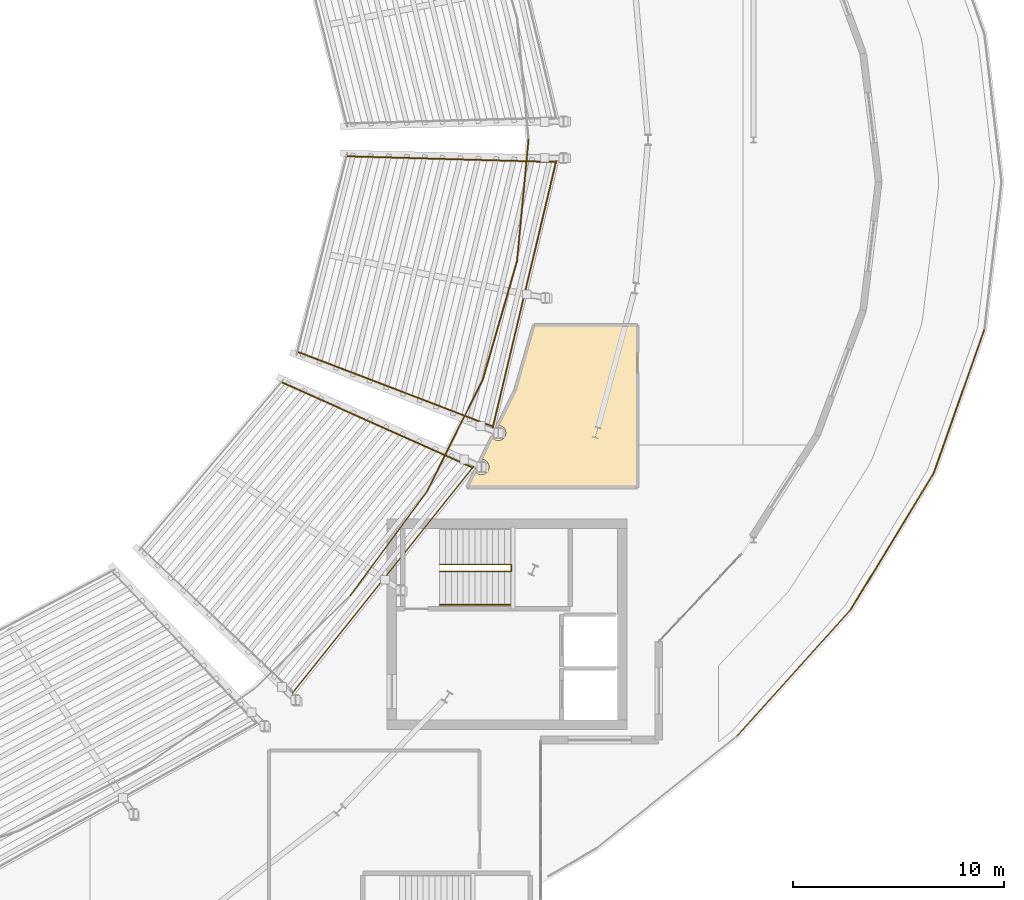
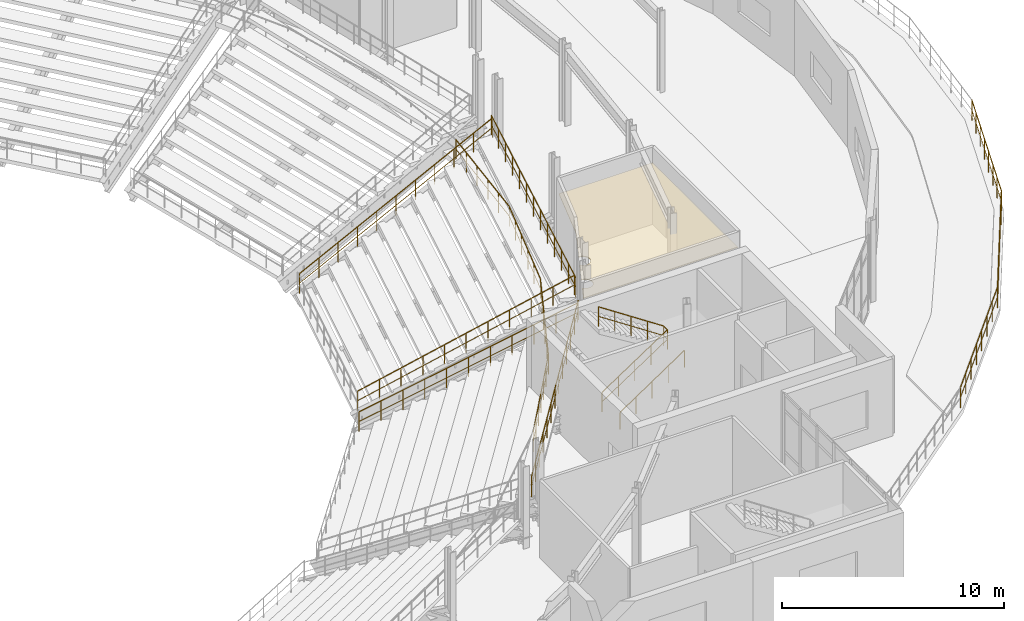
# One storey, part 79 of 81: 14 railings, 1 covering.
"""IFC4 building model written with IfcOpenShell, lengths in metres."""

from ifc_helpers import new_model, si_unit, direction, frame, origin, origin_2d, place, context, subcontext, project, spatial, polyline, circle, outline, extrude, material, layer, layer_set, type_object, element, save


model = new_model("IFC4")

# Units and contexts
model_context = context("Model", 3, precision=1e-05, world=origin(), true_north=direction((0.0, 1.0)))
body_context = subcontext(model_context, "Body", "Model", "MODEL_VIEW")
ifc_project = project(units=[si_unit("LENGTHUNIT", "METRE"), si_unit("AREAUNIT", "SQUARE_METRE"), si_unit("VOLUMEUNIT", "CUBIC_METRE"), si_unit("PLANEANGLEUNIT", "RADIAN"), si_unit("MASSUNIT", "GRAM", prefix="KILO")], contexts=[model_context])

# Site, building, storey
site_placement = place(None, origin())
site = spatial("IfcSite", under=ifc_project, at=site_placement, CompositionType="ELEMENT")
building_placement = place(site_placement, origin())
building = spatial("IfcBuilding", under=site, at=building_placement, Name="Glasvene Arena", CompositionType="ELEMENT")
storey_placement = place(building_placement, frame((0.0, 0.0, 15.0)))
storey = spatial("IfcBuildingStorey", under=building, at=storey_placement, Name="L03", CompositionType="ELEMENT", Elevation=15.0)

# Covering
ifc_material_1 = material(Name="Perforated acoustic mineral ceiling tile")
ifc_layer = layer(ifc_material_1, 0.0400390625)
ifc_layer_set = layer_set([ifc_layer], Name="Perforated acoustic mineral ceiling tile")
covering_type = type_object("IfcCoveringType", Name="COV-CEIL-AC", PredefinedType="CEILING", material=ifc_layer_set)
covering_placement = place(storey_placement, frame((134.828369140625, 58.362060546875, 3.31005859375)))
element("IfcCovering", 1, at=covering_placement, inside=storey, type_object=covering_type, Name="Acoustic suspended ceiling Founders Hospitality Suite 03", PredefinedType="CEILING", context=body_context, shape_type="SweptSolid", body=[
    extrude(outline(polyline([(6.651611328125, -1.842041015625), (-1.39208984375, -1.842041015625), (-1.02783203125, -1.1064453125), (-1.0048828125, -1.140869140625), (-0.994873046875, -1.153076171875), (-0.982666015625, -1.1630859375), (-0.891845703125, -1.223876953125), (-0.878173828125, -1.231201171875), (-0.863037109375, -1.235595703125), (-0.755859375, -1.257080078125), (-0.740234375, -1.258544921875), (-0.724609375, -1.257080078125), (-0.617431640625, -1.235595703125), (-0.6025390625, -1.231201171875), (-0.588623046875, -1.223876953125), (-0.497802734375, -1.1630859375), (-0.485595703125, -1.153076171875), (-0.475830078125, -1.140869140625), (-0.4150390625, -1.050048828125), (-0.40771484375, -1.036376953125), (-0.403076171875, -1.021240234375), (-0.3818359375, -0.9140625), (-0.38037109375, -0.898681640625), (-0.3818359375, -0.883056640625), (-0.403076171875, -0.77587890625), (-0.40771484375, -0.7607421875), (-0.4150390625, -0.7470703125), (-0.475830078125, -0.65625), (-0.485595703125, -0.64404296875), (-0.497802734375, -0.634033203125), (-0.588623046875, -0.5732421875), (-0.6025390625, -0.56591796875), (-0.617431640625, -0.5615234375), (-0.724609375, -0.5400390625), (-0.740234375, -0.53857421875), (-0.228759765625, 0.507080078125), (-0.2060546875, 0.47314453125), (-0.196044921875, 0.4609375), (-0.183837890625, 0.450927734375), (-0.093017578125, 0.39013671875), (-0.079345703125, 0.3828125), (-0.064208984375, 0.37841796875), (0.04296875, 0.35693359375), (0.05859375, 0.35546875), (0.07421875, 0.35693359375), (0.181396484375, 0.37841796875), (0.1962890625, 0.3828125), (0.210205078125, 0.39013671875), (0.301025390625, 0.450927734375), (0.313232421875, 0.4609375), (0.322998046875, 0.47314453125), (0.3837890625, 0.563720703125), (0.39111328125, 0.57763671875), (0.395751953125, 0.592529296875), (0.4169921875, 0.699951171875), (0.41845703125, 0.71533203125), (0.4169921875, 0.73095703125), (0.395751953125, 0.838134765625), (0.39111328125, 0.853271484375), (0.3837890625, 0.866943359375), (0.322998046875, 0.957763671875), (0.313232421875, 0.969970703125), (0.301025390625, 0.97998046875), (0.210205078125, 1.04052734375), (0.1962890625, 1.048095703125), (0.181396484375, 1.052490234375), (0.07421875, 1.073974609375), (0.05859375, 1.075439453125), (0.879150390625, 2.74462890625), (1.76220703125, 5.81787109375), (6.651611328125, 5.81787109375), (6.651611328125, -1.842041015625)])), origin(), (0.0, 0.0, 1.0), 0.0400390625),
])

# Railings
ifc_material_2 = material(Name="Brushed stainless steel", Category="steel")
railing_type_1 = type_object("IfcRailingType", Name="RL-GUARD-1100", PredefinedType="GUARDRAIL", material=ifc_material_2)
railing_1_placement = place(storey_placement, frame((132.10009765625, 52.510009765625, 0.0)))
element("IfcRailing", 2, at=railing_1_placement, inside=storey, type_object=railing_type_1, Name="Stair inner well continuous guardrail ST-04-L03", PredefinedType="GUARDRAIL", context=body_context, shape_type="SweptSolid", body=[
    extrude(circle(Radius=0.02392578125, at=origin_2d()), frame((0.0, 0.0, 1.076171875), z_axis=(0.833924910587, 0.0, 0.551877924456), x_axis=(0.0, 1.0, 0.0)), (0.0, 0.0, 1.0), 4.076904296875),
    extrude(circle(Radius=0.01611328125, at=origin_2d()), frame((0.0, 0.0, 0.550048828125), z_axis=(0.833924910587, 0.0, 0.551877924456), x_axis=(0.0, 1.0, 0.0)), (0.0, 0.0, 1.0), 4.076904296875),
    extrude(circle(Radius=0.02392578125, at=origin_2d()), frame((3.39990234375, 0.0, 3.326171875), z_axis=(0.0, 1.0, 0.0), x_axis=(-1.0, 0.0, 0.0)), (0.0, 0.0, 1.0), 0.330078125),
    extrude(circle(Radius=0.01611328125, at=origin_2d()), frame((3.39990234375, 0.0, 2.800048828125), z_axis=(0.0, 1.0, 0.0), x_axis=(-1.0, 0.0, 0.0)), (0.0, 0.0, 1.0), 0.330078125),
    extrude(circle(Radius=0.02392578125, at=origin_2d()), frame((3.39990234375, 0.330078125, 3.326171875), z_axis=(-0.833924910587, 0.0, 0.551877924456), x_axis=(0.0, -1.0, 0.0)), (0.0, 0.0, 1.0), 4.076904296875),
    extrude(circle(Radius=0.01611328125, at=origin_2d()), frame((3.39990234375, 0.330078125, 2.800048828125), z_axis=(-0.833924910587, 0.0, 0.551877924456), x_axis=(0.0, -1.0, 0.0)), (0.0, 0.0, 1.0), 4.076904296875),
    extrude(circle(Radius=0.02099609375, at=origin_2d()), origin(), (0.0, 0.0, 1.0), 1.052001953125),
    extrude(circle(Radius=0.02099609375, at=origin_2d()), frame((0.85009765625, 0.0, 0.5625)), (0.0, 0.0, 1.0), 1.052001953125),
    extrude(circle(Radius=0.02099609375, at=origin_2d()), frame((1.699951171875, 0.0, 1.125)), (0.0, 0.0, 1.0), 1.052001953125),
    extrude(circle(Radius=0.02099609375, at=origin_2d()), frame((2.5498046875, 0.0, 1.6875)), (0.0, 0.0, 1.0), 1.052001953125),
    extrude(circle(Radius=0.02099609375, at=origin_2d()), frame((3.39990234375, 0.0, 2.25)), (0.0, 0.0, 1.0), 1.052001953125),
    extrude(circle(Radius=0.02099609375, at=origin_2d()), frame((3.39990234375, 0.330078125, 2.25)), (0.0, 0.0, 1.0), 1.052001953125),
    extrude(circle(Radius=0.02099609375, at=origin_2d()), frame((2.5498046875, 0.330078125, 2.8125)), (0.0, 0.0, 1.0), 1.052001953125),
    extrude(circle(Radius=0.02099609375, at=origin_2d()), frame((1.699951171875, 0.330078125, 3.375)), (0.0, 0.0, 1.0), 1.052001953125),
    extrude(circle(Radius=0.02099609375, at=origin_2d()), frame((0.85009765625, 0.330078125, 3.9375)), (0.0, 0.0, 1.0), 1.052001953125),
    extrude(circle(Radius=0.02099609375, at=origin_2d()), frame((0.0, 0.330078125, 4.5)), (0.0, 0.0, 1.0), 1.052001953125),
])
railing_2_placement = place(storey_placement, frame((127.855712890625, 51.357666015625, 0.0)))
element("IfcRailing", 3, at=railing_2_placement, inside=storey, type_object=railing_type_1, Name="Safety guardrail GD-BWL-L03-037", PredefinedType="GUARDRAIL", context=body_context, shape_type="SweptSolid", body=[
    extrude(circle(Radius=0.02392578125, at=origin_2d()), frame((0.0, 0.0, 1.076171875), z_axis=(0.593593483954, 0.804765043853, 0.0), x_axis=(-0.804765043853, 0.593593483954, 0.0)), (0.0, 0.0, 1.0), 6.12158203125),
    extrude(circle(Radius=0.01611328125, at=origin_2d()), frame((0.0, 0.0, 0.550048828125), z_axis=(0.593593483954, 0.804765043853, 0.0), x_axis=(-0.804765043853, 0.593593483954, 0.0)), (0.0, 0.0, 1.0), 6.12158203125),
    extrude(circle(Radius=0.02099609375, at=origin_2d()), origin(), (0.0, 0.0, 1.0), 1.052001953125),
    extrude(circle(Radius=0.02099609375, at=origin_2d()), frame((0.605712890625, 0.821044921875, 0.0)), (0.0, 0.0, 1.0), 1.052001953125),
    extrude(circle(Radius=0.02099609375, at=origin_2d()), frame((1.211181640625, 1.64208984375, 0.0)), (0.0, 0.0, 1.0), 1.052001953125),
    extrude(circle(Radius=0.02099609375, at=origin_2d()), frame((1.81689453125, 2.46337890625, 0.0)), (0.0, 0.0, 1.0), 1.052001953125),
    extrude(circle(Radius=0.02099609375, at=origin_2d()), frame((2.422607421875, 3.284423828125, 0.0)), (0.0, 0.0, 1.0), 1.052001953125),
    extrude(circle(Radius=0.02099609375, at=origin_2d()), frame((3.028076171875, 4.10546875, 0.0)), (0.0, 0.0, 1.0), 1.052001953125),
    extrude(circle(Radius=0.02099609375, at=origin_2d()), frame((3.6337890625, 4.926513671875, 0.0)), (0.0, 0.0, 1.0), 1.052001953125),
])
railing_3_placement = place(storey_placement, frame((131.489501953125, 56.2841796875, 0.0)))
element("IfcRailing", 4, at=railing_3_placement, inside=storey, type_object=railing_type_1, Name="Safety guardrail GD-BWL-L03-038", PredefinedType="GUARDRAIL", context=body_context, shape_type="SweptSolid", body=[
    extrude(circle(Radius=0.02392578125, at=origin_2d()), frame((0.0, 0.0, 1.076171875), z_axis=(0.446198197372, 0.894934170016, 0.0), x_axis=(-0.894934170016, 0.446198197372, 0.0)), (0.0, 0.0, 1.0), 5.964599609375),
    extrude(circle(Radius=0.01611328125, at=origin_2d()), frame((0.0, 0.0, 0.550048828125), z_axis=(0.446198197372, 0.894934170016, 0.0), x_axis=(-0.894934170016, 0.446198197372, 0.0)), (0.0, 0.0, 1.0), 5.964599609375),
    extrude(circle(Radius=0.02099609375, at=origin_2d()), origin(), (0.0, 0.0, 1.0), 1.052001953125),
    extrude(circle(Radius=0.02099609375, at=origin_2d()), frame((0.5322265625, 1.067626953125, 0.0)), (0.0, 0.0, 1.0), 1.052001953125),
    extrude(circle(Radius=0.02099609375, at=origin_2d()), frame((1.064453125, 2.13525390625, 0.0)), (0.0, 0.0, 1.0), 1.052001953125),
    extrude(circle(Radius=0.02099609375, at=origin_2d()), frame((1.596923828125, 3.20263671875, 0.0)), (0.0, 0.0, 1.0), 1.052001953125),
    extrude(circle(Radius=0.02099609375, at=origin_2d()), frame((2.129150390625, 4.270263671875, 0.0)), (0.0, 0.0, 1.0), 1.052001953125),
    extrude(circle(Radius=0.02099609375, at=origin_2d()), frame((2.661376953125, 5.337890625, 0.0)), (0.0, 0.0, 1.0), 1.052001953125),
])
railing_4_placement = place(storey_placement, frame((134.15087890625, 61.6220703125, 0.0)))
element("IfcRailing", 5, at=railing_4_placement, inside=storey, type_object=railing_type_1, Name="Safety guardrail GD-BWL-L03-039", PredefinedType="GUARDRAIL", context=body_context, shape_type="SweptSolid", body=[
    extrude(circle(Radius=0.02392578125, at=origin_2d()), frame((0.0, 0.0, 1.076171875), z_axis=(0.27763127496, 0.960687709489, 0.0), x_axis=(-0.960687709489, 0.27763127496, 0.0)), (0.0, 0.0, 1.0), 5.847900390625),
    extrude(circle(Radius=0.01611328125, at=origin_2d()), frame((0.0, 0.0, 0.550048828125), z_axis=(0.27763127496, 0.960687709489, 0.0), x_axis=(-0.960687709489, 0.27763127496, 0.0)), (0.0, 0.0, 1.0), 5.847900390625),
    extrude(circle(Radius=0.02099609375, at=origin_2d()), origin(), (0.0, 0.0, 1.0), 1.052001953125),
    extrude(circle(Radius=0.02099609375, at=origin_2d()), frame((0.32470703125, 1.12353515625, 0.0)), (0.0, 0.0, 1.0), 1.052001953125),
    extrude(circle(Radius=0.02099609375, at=origin_2d()), frame((0.6494140625, 2.2470703125, 0.0)), (0.0, 0.0, 1.0), 1.052001953125),
    extrude(circle(Radius=0.02099609375, at=origin_2d()), frame((0.97412109375, 3.370849609375, 0.0)), (0.0, 0.0, 1.0), 1.052001953125),
    extrude(circle(Radius=0.02099609375, at=origin_2d()), frame((1.298828125, 4.494384765625, 0.0)), (0.0, 0.0, 1.0), 1.052001953125),
    extrude(circle(Radius=0.02099609375, at=origin_2d()), frame((1.62353515625, 5.617919921875, 0.0)), (0.0, 0.0, 1.0), 1.052001953125),
])
railing_5_placement = place(storey_placement, frame((135.7744140625, 67.239990234375, 0.0)))
element("IfcRailing", 6, at=railing_5_placement, inside=storey, type_object=railing_type_1, Name="Safety guardrail GD-BWL-L03-040", PredefinedType="GUARDRAIL", context=body_context, shape_type="SweptSolid", body=[
    extrude(circle(Radius=0.02392578125, at=origin_2d()), frame((0.0, 0.0, 1.076171875), z_axis=(0.094309265042, 0.99554294861, 0.0), x_axis=(-0.99554294861, 0.094309265042, 0.0)), (0.0, 0.0, 1.0), 5.785888671875),
    extrude(circle(Radius=0.01611328125, at=origin_2d()), frame((0.0, 0.0, 0.550048828125), z_axis=(0.094309265042, 0.99554294861, 0.0), x_axis=(-0.99554294861, 0.094309265042, 0.0)), (0.0, 0.0, 1.0), 5.785888671875),
    extrude(circle(Radius=0.02099609375, at=origin_2d()), origin(), (0.0, 0.0, 1.0), 1.052001953125),
    extrude(circle(Radius=0.02099609375, at=origin_2d()), frame((0.109130859375, 1.152099609375, 0.0)), (0.0, 0.0, 1.0), 1.052001953125),
    extrude(circle(Radius=0.02099609375, at=origin_2d()), frame((0.21826171875, 2.303955078125, 0.0)), (0.0, 0.0, 1.0), 1.052001953125),
    extrude(circle(Radius=0.02099609375, at=origin_2d()), frame((0.327392578125, 3.4560546875, 0.0)), (0.0, 0.0, 1.0), 1.052001953125),
    extrude(circle(Radius=0.02099609375, at=origin_2d()), frame((0.4365234375, 4.60791015625, 0.0)), (0.0, 0.0, 1.0), 1.052001953125),
    extrude(circle(Radius=0.02099609375, at=origin_2d()), frame((0.545654296875, 5.760009765625, 0.0)), (0.0, 0.0, 1.0), 1.052001953125),
])
railing_6_placement = place(storey_placement, frame((125.025146484375, 46.6220703125, 1.3798828125)))
element("IfcRailing", 7, at=railing_6_placement, inside=storey, type_object=railing_type_1, Name="Safety guardrail GD-TU-UR-15-001", PredefinedType="GUARDRAIL", context=body_context, shape_type="SweptSolid", body=[
    extrude(circle(Radius=0.02392578125, at=origin_2d()), frame((0.0, 0.0, 1.076171875), z_axis=(0.624430035096, 0.781080745679, 0.0), x_axis=(-0.781080745679, 0.624430035096, 0.0)), (0.0, 0.0, 1.0), 14.045166015625),
    extrude(circle(Radius=0.01611328125, at=origin_2d()), frame((0.0, 0.0, 0.550048828125), z_axis=(0.624430035096, 0.781080745679, 0.0), x_axis=(-0.781080745679, 0.624430035096, 0.0)), (0.0, 0.0, 1.0), 14.045166015625),
    extrude(circle(Radius=0.02099609375, at=origin_2d()), origin(), (0.0, 0.0, 1.0), 1.052001953125),
    extrude(circle(Radius=0.02099609375, at=origin_2d()), frame((0.73095703125, 0.914306640625, 0.0)), (0.0, 0.0, 1.0), 1.052001953125),
    extrude(circle(Radius=0.02099609375, at=origin_2d()), frame((1.461669921875, 1.828369140625, 0.0)), (0.0, 0.0, 1.0), 1.052001953125),
    extrude(circle(Radius=0.02099609375, at=origin_2d()), frame((2.192626953125, 2.74267578125, 0.0)), (0.0, 0.0, 1.0), 1.052001953125),
    extrude(circle(Radius=0.02099609375, at=origin_2d()), frame((2.92333984375, 3.65673828125, 0.0)), (0.0, 0.0, 1.0), 1.052001953125),
    extrude(circle(Radius=0.02099609375, at=origin_2d()), frame((3.654296875, 4.571044921875, 0.0)), (0.0, 0.0, 1.0), 1.052001953125),
    extrude(circle(Radius=0.02099609375, at=origin_2d()), frame((4.38525390625, 5.4853515625, 0.0)), (0.0, 0.0, 1.0), 1.052001953125),
    extrude(circle(Radius=0.02099609375, at=origin_2d()), frame((5.115966796875, 6.3994140625, 0.0)), (0.0, 0.0, 1.0), 1.052001953125),
    extrude(circle(Radius=0.02099609375, at=origin_2d()), frame((5.846923828125, 7.313720703125, 0.0)), (0.0, 0.0, 1.0), 1.052001953125),
    extrude(circle(Radius=0.02099609375, at=origin_2d()), frame((6.57763671875, 8.227783203125, 0.0)), (0.0, 0.0, 1.0), 1.052001953125),
    extrude(circle(Radius=0.02099609375, at=origin_2d()), frame((7.30859375, 9.14208984375, 0.0)), (0.0, 0.0, 1.0), 1.052001953125),
    extrude(circle(Radius=0.02099609375, at=origin_2d()), frame((8.039306640625, 10.05615234375, 0.0)), (0.0, 0.0, 1.0), 1.052001953125),
    extrude(circle(Radius=0.02099609375, at=origin_2d()), frame((8.770263671875, 10.970458984375, 0.0)), (0.0, 0.0, 1.0), 1.052001953125),
])
railing_7_placement = place(storey_placement, frame((124.63720703125, 61.470703125, -3.89990234375)))
element("IfcRailing", 8, at=railing_7_placement, inside=storey, type_object=railing_type_1, Name="Upper tier radial aisle guard 15-2", PredefinedType="GUARDRAIL", context=body_context, shape_type="SweptSolid", body=[
    extrude(circle(Radius=0.02392578125, at=origin_2d()), frame((0.0, 0.0, 1.076171875), z_axis=(0.805537930588, -0.360098520078, 0.470571671715), x_axis=(0.408107570305, 0.912933848129, 0.0)), (0.0, 0.0, 1.0), 11.219970703125),
    extrude(circle(Radius=0.01611328125, at=origin_2d()), frame((0.0, 0.0, 0.550048828125), z_axis=(0.805537930588, -0.360098520078, 0.470571671715), x_axis=(0.408107570305, 0.912933848129, 0.0)), (0.0, 0.0, 1.0), 11.219970703125),
    extrude(circle(Radius=0.02099609375, at=origin_2d()), origin(), (0.0, 0.0, 1.0), 1.052001953125),
    extrude(circle(Radius=0.02099609375, at=origin_2d()), frame((0.90380859375, -0.404052734375, 0.528076171875)), (0.0, 0.0, 1.0), 1.052001953125),
    extrude(circle(Radius=0.02099609375, at=origin_2d()), frame((1.8076171875, -0.80810546875, 1.055908203125)), (0.0, 0.0, 1.0), 1.052001953125),
    extrude(circle(Radius=0.02099609375, at=origin_2d()), frame((2.71142578125, -1.212158203125, 1.583984375)), (0.0, 0.0, 1.0), 1.052001953125),
    extrude(circle(Radius=0.02099609375, at=origin_2d()), frame((3.615234375, -1.6162109375, 2.11181640625)), (0.0, 0.0, 1.0), 1.052001953125),
    extrude(circle(Radius=0.02099609375, at=origin_2d()), frame((4.51904296875, -2.02001953125, 2.639892578125)), (0.0, 0.0, 1.0), 1.052001953125),
    extrude(circle(Radius=0.02099609375, at=origin_2d()), frame((5.4228515625, -2.424072265625, 3.16796875)), (0.0, 0.0, 1.0), 1.052001953125),
    extrude(circle(Radius=0.02099609375, at=origin_2d()), frame((6.32666015625, -2.828125, 3.69580078125)), (0.0, 0.0, 1.0), 1.052001953125),
    extrude(circle(Radius=0.02099609375, at=origin_2d()), frame((7.23046875, -3.232177734375, 4.223876953125)), (0.0, 0.0, 1.0), 1.052001953125),
    extrude(circle(Radius=0.02099609375, at=origin_2d()), frame((8.13427734375, -3.63623046875, 4.751708984375)), (0.0, 0.0, 1.0), 1.052001953125),
    extrude(circle(Radius=0.02099609375, at=origin_2d()), frame((9.0380859375, -4.040283203125, 5.27978515625)), (0.0, 0.0, 1.0), 1.052001953125),
])
railing_8_placement = place(storey_placement, frame((134.588623046875, 59.193115234375, 1.3798828125)))
element("IfcRailing", 9, at=railing_8_placement, inside=storey, type_object=railing_type_1, Name="Safety guardrail GD-TU-UR-16-001", PredefinedType="GUARDRAIL", context=body_context, shape_type="SweptSolid", body=[
    extrude(circle(Radius=0.02392578125, at=origin_2d()), frame((0.0, 0.0, 1.076171875), z_axis=(0.231512176675, 0.972832006079, 0.0), x_axis=(-0.972832006079, 0.231512176675, 0.0)), (0.0, 0.0, 1.0), 13.302001953125),
    extrude(circle(Radius=0.01611328125, at=origin_2d()), frame((0.0, 0.0, 0.550048828125), z_axis=(0.231512176675, 0.972832006079, 0.0), x_axis=(-0.972832006079, 0.231512176675, 0.0)), (0.0, 0.0, 1.0), 13.302001953125),
    extrude(circle(Radius=0.02099609375, at=origin_2d()), origin(), (0.0, 0.0, 1.0), 1.052001953125),
    extrude(circle(Radius=0.02099609375, at=origin_2d()), frame((0.256591796875, 1.078369140625, 0.0)), (0.0, 0.0, 1.0), 1.052001953125),
    extrude(circle(Radius=0.02099609375, at=origin_2d()), frame((0.51318359375, 2.15673828125, 0.0)), (0.0, 0.0, 1.0), 1.052001953125),
    extrude(circle(Radius=0.02099609375, at=origin_2d()), frame((0.77001953125, 3.235107421875, 0.0)), (0.0, 0.0, 1.0), 1.052001953125),
    extrude(circle(Radius=0.02099609375, at=origin_2d()), frame((1.026611328125, 4.3134765625, 0.0)), (0.0, 0.0, 1.0), 1.052001953125),
    extrude(circle(Radius=0.02099609375, at=origin_2d()), frame((1.283203125, 5.391845703125, 0.0)), (0.0, 0.0, 1.0), 1.052001953125),
    extrude(circle(Radius=0.02099609375, at=origin_2d()), frame((1.539794921875, 6.47021484375, 0.0)), (0.0, 0.0, 1.0), 1.052001953125),
    extrude(circle(Radius=0.02099609375, at=origin_2d()), frame((1.79638671875, 7.548828125, 0.0)), (0.0, 0.0, 1.0), 1.052001953125),
    extrude(circle(Radius=0.02099609375, at=origin_2d()), frame((2.052978515625, 8.627197265625, 0.0)), (0.0, 0.0, 1.0), 1.052001953125),
    extrude(circle(Radius=0.02099609375, at=origin_2d()), frame((2.3095703125, 9.70556640625, 0.0)), (0.0, 0.0, 1.0), 1.052001953125),
    extrude(circle(Radius=0.02099609375, at=origin_2d()), frame((2.56640625, 10.783935546875, 0.0)), (0.0, 0.0, 1.0), 1.052001953125),
    extrude(circle(Radius=0.02099609375, at=origin_2d()), frame((2.822998046875, 11.8623046875, 0.0)), (0.0, 0.0, 1.0), 1.052001953125),
    extrude(circle(Radius=0.02099609375, at=origin_2d()), frame((3.07958984375, 12.940673828125, 0.0)), (0.0, 0.0, 1.0), 1.052001953125),
])
railing_9_placement = place(storey_placement, frame((125.394775390625, 62.916015625, -3.89990234375)))
element("IfcRailing", 10, at=railing_9_placement, inside=storey, type_object=railing_type_1, Name="Upper tier radial aisle guard 16-1", PredefinedType="GUARDRAIL", context=body_context, shape_type="SweptSolid", body=[
    extrude(circle(Radius=0.02392578125, at=origin_2d()), frame((0.0, 0.0, 1.076171875), z_axis=(0.824230449904, -0.314969660296, 0.470572288329), x_axis=(0.3569621743, 0.934118839399, 0.0)), (0.0, 0.0, 1.0), 11.219970703125),
    extrude(circle(Radius=0.01611328125, at=origin_2d()), frame((0.0, 0.0, 0.550048828125), z_axis=(0.824230449904, -0.314969660296, 0.470572288329), x_axis=(0.3569621743, 0.934118839399, 0.0)), (0.0, 0.0, 1.0), 11.219970703125),
    extrude(circle(Radius=0.02099609375, at=origin_2d()), origin(), (0.0, 0.0, 1.0), 1.052001953125),
    extrude(circle(Radius=0.02099609375, at=origin_2d()), frame((0.9248046875, -0.353515625, 0.528076171875)), (0.0, 0.0, 1.0), 1.052001953125),
    extrude(circle(Radius=0.02099609375, at=origin_2d()), frame((1.849609375, -0.706787109375, 1.055908203125)), (0.0, 0.0, 1.0), 1.052001953125),
    extrude(circle(Radius=0.02099609375, at=origin_2d()), frame((2.7744140625, -1.06005859375, 1.583984375)), (0.0, 0.0, 1.0), 1.052001953125),
    extrude(circle(Radius=0.02099609375, at=origin_2d()), frame((3.69921875, -1.41357421875, 2.11181640625)), (0.0, 0.0, 1.0), 1.052001953125),
    extrude(circle(Radius=0.02099609375, at=origin_2d()), frame((4.6240234375, -1.76708984375, 2.639892578125)), (0.0, 0.0, 1.0), 1.052001953125),
    extrude(circle(Radius=0.02099609375, at=origin_2d()), frame((5.548583984375, -2.120361328125, 3.16796875)), (0.0, 0.0, 1.0), 1.052001953125),
    extrude(circle(Radius=0.02099609375, at=origin_2d()), frame((6.473388671875, -2.4736328125, 3.69580078125)), (0.0, 0.0, 1.0), 1.052001953125),
    extrude(circle(Radius=0.02099609375, at=origin_2d()), frame((7.398193359375, -2.8271484375, 4.223876953125)), (0.0, 0.0, 1.0), 1.052001953125),
    extrude(circle(Radius=0.02099609375, at=origin_2d()), frame((8.322998046875, -3.1806640625, 4.751708984375)), (0.0, 0.0, 1.0), 1.052001953125),
    extrude(circle(Radius=0.02099609375, at=origin_2d()), frame((9.247802734375, -3.533935546875, 5.27978515625)), (0.0, 0.0, 1.0), 1.052001953125),
])
railing_10_placement = place(storey_placement, frame((127.736328125, 72.218017578125, -3.89990234375)))
element("IfcRailing", 11, at=railing_10_placement, inside=storey, type_object=railing_type_1, Name="Upper tier radial aisle guard 16-2", PredefinedType="GUARDRAIL", context=body_context, shape_type="SweptSolid", body=[
    extrude(circle(Radius=0.02392578125, at=origin_2d()), frame((0.0, 0.0, 1.076171875), z_axis=(0.882023201836, -0.024435970289, 0.470571944317), x_axis=(0.027693826966, 0.99961645242, 0.0)), (0.0, 0.0, 1.0), 11.219970703125),
    extrude(circle(Radius=0.01611328125, at=origin_2d()), frame((0.0, 0.0, 0.550048828125), z_axis=(0.882023201836, -0.024435970289, 0.470571944317), x_axis=(0.027693826966, 0.99961645242, 0.0)), (0.0, 0.0, 1.0), 11.219970703125),
    extrude(circle(Radius=0.02099609375, at=origin_2d()), origin(), (0.0, 0.0, 1.0), 1.052001953125),
    extrude(circle(Radius=0.02099609375, at=origin_2d()), frame((0.98974609375, -0.02734375, 0.528076171875)), (0.0, 0.0, 1.0), 1.052001953125),
    extrude(circle(Radius=0.02099609375, at=origin_2d()), frame((1.979248046875, -0.054931640625, 1.055908203125)), (0.0, 0.0, 1.0), 1.052001953125),
    extrude(circle(Radius=0.02099609375, at=origin_2d()), frame((2.96875, -0.082275390625, 1.583984375)), (0.0, 0.0, 1.0), 1.052001953125),
    extrude(circle(Radius=0.02099609375, at=origin_2d()), frame((3.95849609375, -0.109619140625, 2.11181640625)), (0.0, 0.0, 1.0), 1.052001953125),
    extrude(circle(Radius=0.02099609375, at=origin_2d()), frame((4.9482421875, -0.13720703125, 2.639892578125)), (0.0, 0.0, 1.0), 1.052001953125),
    extrude(circle(Radius=0.02099609375, at=origin_2d()), frame((5.937744140625, -0.16455078125, 3.16796875)), (0.0, 0.0, 1.0), 1.052001953125),
    extrude(circle(Radius=0.02099609375, at=origin_2d()), frame((6.92724609375, -0.19189453125, 3.69580078125)), (0.0, 0.0, 1.0), 1.052001953125),
    extrude(circle(Radius=0.02099609375, at=origin_2d()), frame((7.9169921875, -0.21923828125, 4.223876953125)), (0.0, 0.0, 1.0), 1.052001953125),
    extrude(circle(Radius=0.02099609375, at=origin_2d()), frame((8.90673828125, -0.246826171875, 4.751708984375)), (0.0, 0.0, 1.0), 1.052001953125),
    extrude(circle(Radius=0.02099609375, at=origin_2d()), frame((9.896240234375, -0.274169921875, 5.27978515625)), (0.0, 0.0, 1.0), 1.052001953125),
])
ifc_material_3 = material(Name="Warm bronze architectural aluminium", Category="aluminium")
railing_type_2 = type_object("IfcRailingType", Name="RL-GUARD-EXT-1150", PredefinedType="GUARDRAIL", material=ifc_material_3)
railing_11_placement = place(storey_placement, frame((157.970947265625, 64.00341796875, 0.0)))
element("IfcRailing", 12, at=railing_11_placement, inside=storey, type_object=railing_type_2, Name="Safety guardrail GD-TER-L03-TR-L03-STEP2-1-01-006", PredefinedType="GUARDRAIL", context=body_context, shape_type="SweptSolid", body=[
    extrude(circle(Radius=0.02392578125, at=origin_2d()), frame((0.0, 0.0, 1.1259765625), z_axis=(-0.332311933862, -0.943169538637, 0.0), x_axis=(0.943169538637, -0.332311933862, 0.0)), (0.0, 0.0, 1.0), 7.238037109375),
    extrude(circle(Radius=0.01611328125, at=origin_2d()), frame((0.0, 0.0, 0.574951171875), z_axis=(-0.332311933862, -0.943169538637, 0.0), x_axis=(0.943169538637, -0.332311933862, 0.0)), (0.0, 0.0, 1.0), 7.238037109375),
    extrude(circle(Radius=0.02099609375, at=origin_2d()), origin(), (0.0, 0.0, 1.0), 1.101806640625),
    extrude(circle(Radius=0.02099609375, at=origin_2d()), frame((-0.343505859375, -0.975341796875, 0.0)), (0.0, 0.0, 1.0), 1.101806640625),
    extrude(circle(Radius=0.02099609375, at=origin_2d()), frame((-0.687255859375, -1.950439453125, 0.0)), (0.0, 0.0, 1.0), 1.101806640625),
    extrude(circle(Radius=0.02099609375, at=origin_2d()), frame((-1.03076171875, -2.92578125, 0.0)), (0.0, 0.0, 1.0), 1.101806640625),
    extrude(circle(Radius=0.02099609375, at=origin_2d()), frame((-1.37451171875, -3.90087890625, 0.0)), (0.0, 0.0, 1.0), 1.101806640625),
    extrude(circle(Radius=0.02099609375, at=origin_2d()), frame((-1.718017578125, -4.876220703125, 0.0)), (0.0, 0.0, 1.0), 1.101806640625),
    extrude(circle(Radius=0.02099609375, at=origin_2d()), frame((-2.061767578125, -5.851318359375, 0.0)), (0.0, 0.0, 1.0), 1.101806640625),
    extrude(circle(Radius=0.02099609375, at=origin_2d()), frame((-2.4052734375, -6.82666015625, 0.0)), (0.0, 0.0, 1.0), 1.101806640625),
])
railing_12_placement = place(storey_placement, frame((155.565673828125, 57.1767578125, 0.0)))
element("IfcRailing", 13, at=railing_12_placement, inside=storey, type_object=railing_type_2, Name="Safety guardrail GD-TER-L03-TR-L03-STEP2-1-01-007", PredefinedType="GUARDRAIL", context=body_context, shape_type="SweptSolid", body=[
    extrude(circle(Radius=0.02392578125, at=origin_2d()), frame((0.0, 0.0, 1.1259765625), z_axis=(-0.519488943339, -0.854477172164, 0.0), x_axis=(0.854477172164, -0.519488943339, 0.0)), (0.0, 0.0, 1.0), 7.59423828125),
    extrude(circle(Radius=0.01611328125, at=origin_2d()), frame((0.0, 0.0, 0.574951171875), z_axis=(-0.519488943339, -0.854477172164, 0.0), x_axis=(0.854477172164, -0.519488943339, 0.0)), (0.0, 0.0, 1.0), 7.59423828125),
    extrude(circle(Radius=0.02099609375, at=origin_2d()), origin(), (0.0, 0.0, 1.0), 1.101806640625),
    extrude(circle(Radius=0.02099609375, at=origin_2d()), frame((-0.5634765625, -0.927001953125, 0.0)), (0.0, 0.0, 1.0), 1.101806640625),
    extrude(circle(Radius=0.02099609375, at=origin_2d()), frame((-1.127197265625, -1.85400390625, 0.0)), (0.0, 0.0, 1.0), 1.101806640625),
    extrude(circle(Radius=0.02099609375, at=origin_2d()), frame((-1.690673828125, -2.781005859375, 0.0)), (0.0, 0.0, 1.0), 1.101806640625),
    extrude(circle(Radius=0.02099609375, at=origin_2d()), frame((-2.25439453125, -3.7080078125, 0.0)), (0.0, 0.0, 1.0), 1.101806640625),
    extrude(circle(Radius=0.02099609375, at=origin_2d()), frame((-2.81787109375, -4.635009765625, 0.0)), (0.0, 0.0, 1.0), 1.101806640625),
    extrude(circle(Radius=0.02099609375, at=origin_2d()), frame((-3.381591796875, -5.56201171875, 0.0)), (0.0, 0.0, 1.0), 1.101806640625),
    extrude(circle(Radius=0.02099609375, at=origin_2d()), frame((-3.945068359375, -6.489013671875, 0.0)), (0.0, 0.0, 1.0), 1.101806640625),
])
railing_13_placement = place(storey_placement, frame((151.62060546875, 50.687744140625, 0.0)))
element("IfcRailing", 14, at=railing_13_placement, inside=storey, type_object=railing_type_2, Name="Safety guardrail GD-TER-L03-TR-L03-STEP2-1-01-008", PredefinedType="GUARDRAIL", context=body_context, shape_type="SweptSolid", body=[
    extrude(circle(Radius=0.02392578125, at=origin_2d()), frame((0.0, 0.0, 1.1259765625), z_axis=(-0.66871697273, -0.743517054534, 0.0), x_axis=(0.743517054534, -0.66871697273, 0.0)), (0.0, 0.0, 1.0), 8.05859375),
    extrude(circle(Radius=0.01611328125, at=origin_2d()), frame((0.0, 0.0, 0.574951171875), z_axis=(-0.66871697273, -0.743517054534, 0.0), x_axis=(0.743517054534, -0.66871697273, 0.0)), (0.0, 0.0, 1.0), 8.05859375),
    extrude(circle(Radius=0.02099609375, at=origin_2d()), origin(), (0.0, 0.0, 1.0), 1.101806640625),
    extrude(circle(Radius=0.02099609375, at=origin_2d()), frame((-0.769775390625, -0.85595703125, 0.0)), (0.0, 0.0, 1.0), 1.101806640625),
    extrude(circle(Radius=0.02099609375, at=origin_2d()), frame((-1.539794921875, -1.7119140625, 0.0)), (0.0, 0.0, 1.0), 1.101806640625),
    extrude(circle(Radius=0.02099609375, at=origin_2d()), frame((-2.3095703125, -2.56787109375, 0.0)), (0.0, 0.0, 1.0), 1.101806640625),
    extrude(circle(Radius=0.02099609375, at=origin_2d()), frame((-3.079345703125, -3.423828125, 0.0)), (0.0, 0.0, 1.0), 1.101806640625),
    extrude(circle(Radius=0.02099609375, at=origin_2d()), frame((-3.84912109375, -4.27978515625, 0.0)), (0.0, 0.0, 1.0), 1.101806640625),
    extrude(circle(Radius=0.02099609375, at=origin_2d()), frame((-4.619140625, -5.1357421875, 0.0)), (0.0, 0.0, 1.0), 1.101806640625),
    extrude(circle(Radius=0.02099609375, at=origin_2d()), frame((-5.388916015625, -5.99169921875, 0.0)), (0.0, 0.0, 1.0), 1.101806640625),
])
railing_type_3 = type_object("IfcRailingType", Name="RL-HAND-950", PredefinedType="HANDRAIL", material=ifc_material_2)
railing_14_placement = place(storey_placement, frame((132.10009765625, 50.909912109375, 0.0)))
element("IfcRailing", 15, at=railing_14_placement, inside=storey, type_object=railing_type_3, Name="Stair wall handrail ST-04-L03", PredefinedType="HANDRAIL", context=body_context, shape_type="SweptSolid", body=[
    extrude(circle(Radius=0.02392578125, at=origin_2d()), frame((0.0, 0.0, 0.92578125), z_axis=(0.830896709279, 0.0, 0.556426687452), x_axis=(0.0, 1.0, 0.0)), (0.0, 0.0, 1.0), 4.043701171875),
    extrude(circle(Radius=0.02099609375, at=origin_2d()), origin(), (0.0, 0.0, 1.0), 0.90185546875),
    extrude(circle(Radius=0.02099609375, at=origin_2d()), frame((0.83984375, 0.0, 0.5625)), (0.0, 0.0, 1.0), 0.90185546875),
    extrude(circle(Radius=0.02099609375, at=origin_2d()), frame((1.679931640625, 0.0, 1.125)), (0.0, 0.0, 1.0), 0.90185546875),
    extrude(circle(Radius=0.02099609375, at=origin_2d()), frame((2.52001953125, 0.0, 1.6875)), (0.0, 0.0, 1.0), 0.90185546875),
    extrude(circle(Radius=0.02099609375, at=origin_2d()), frame((3.35986328125, 0.0, 2.25)), (0.0, 0.0, 1.0), 0.90185546875),
])

save(model, "model.ifc")
